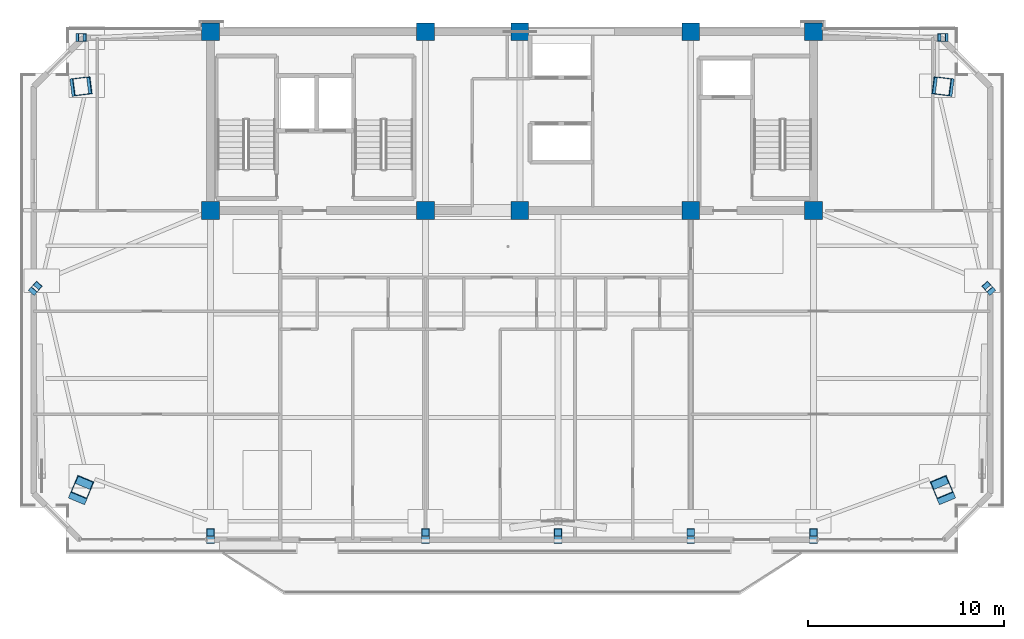
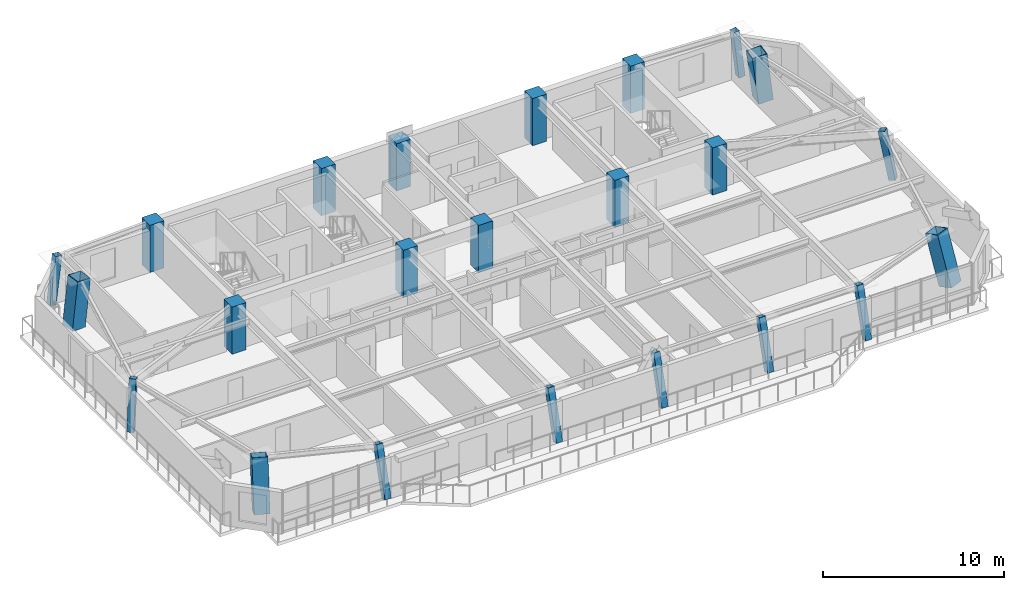
# One storey, part 1 of 14: 23 columns.
"""IFC4 building model written with IfcOpenShell, lengths in metres."""

from ifc_helpers import new_model, si_unit, direction, frame, origin, origin_2d, place, context, subcontext, project, spatial, rectangle, hollow_rectangle, extrude, source, transform, mapped, material, material_profile, profile_set, type_object, element, save


model = new_model("IFC4")

# Units and contexts
model_context = context("Model", 3, precision=1e-05, world=origin(), true_north=direction((0.0, 1.0)))
body_context = subcontext(model_context, "Body", "Model", "MODEL_VIEW")
ifc_project = project(units=[si_unit("LENGTHUNIT", "METRE"), si_unit("AREAUNIT", "SQUARE_METRE"), si_unit("VOLUMEUNIT", "CUBIC_METRE"), si_unit("PLANEANGLEUNIT", "RADIAN"), si_unit("MASSUNIT", "GRAM", prefix="KILO")], contexts=[model_context])

# Site, building, storey
site_placement = place(None, origin())
site = spatial("IfcSite", under=ifc_project, at=site_placement, CompositionType="ELEMENT")
building_placement = place(site_placement, origin())
building = spatial("IfcBuilding", under=site, at=building_placement, Name="Giltprow Tower", CompositionType="ELEMENT")
storey_placement = place(building_placement, frame((0.0, 0.0, 321.0)))
storey = spatial("IfcBuildingStorey", under=building, at=storey_placement, Name="L83", CompositionType="ELEMENT", Elevation=321.0)

# Columns
ifc_material_1 = material(Name="Concrete C45", Category="concrete")
ifc_material_profile_1 = material_profile(ifc_material_1, rectangle(XDim=0.89990234375, YDim=0.89990234375, at=origin_2d()), Name="RC 900x900")
ifc_profile_set_1 = profile_set([ifc_material_profile_1], Name="Concrete C45")
column_type_1 = type_object("IfcColumnType", Name="PIL-RC-900-C45", PredefinedType="PILASTER", material=ifc_profile_set_1)
shared_shape_1 = source(origin(), body_context, "Body", "SweptSolid", [
    extrude(rectangle(XDim=0.89990234375, YDim=0.89990234375, at=origin_2d()), origin(), (0.0, 0.0, 1.0), 3.18505859375),
])
for number, where, z_axis, x_axis, name in (
    (1, (19.85009765625, 37.449951171875, 0.0), (0.0, 0.0, 1.0), (1.0, 0.0, 0.0), "L83 Core Boundary Pilaster 1-1"),
    (2, (19.85009765625, 46.550048828125, 0.0), (0.0, 0.0, 1.0), (1.0, 0.0, 0.0), "L83 Core Boundary Pilaster 1-2"),
    (3, (30.800048828125, 37.449951171875, 0.0), (0.0, 0.0, 1.0), (1.0, 0.0, 0.0), "L83 Core Boundary Pilaster 2-1"),
    (4, (30.800048828125, 46.550048828125, 0.0), (0.0, 0.0, 1.0), (1.0, 0.0, 0.0), "L83 Core Boundary Pilaster 2-2"),
    (5, (35.60009765625, 37.449951171875, 0.0), (0.0, 0.0, 1.0), (1.0, 0.0, 0.0), "L83 Core Boundary Pilaster 3-1"),
    (6, (35.60009765625, 46.550048828125, 0.0), (0.0, 0.0, 1.0), (1.0, 0.0, 0.0), "L83 Core Boundary Pilaster 3-2"),
    (7, (44.300048828125, 37.449951171875, 0.0), (0.0, 0.0, 1.0), (1.0, 0.0, 0.0), "L83 Core Boundary Pilaster 4-1"),
    (8, (44.300048828125, 46.550048828125, 0.0), (0.0, 0.0, 1.0), (1.0, 0.0, 0.0), "L83 Core Boundary Pilaster 4-2"),
    (9, (50.550048828125, 37.449951171875, 0.0), (0.0, 0.0, 1.0), (1.0, 0.0, 0.0), "L83 Core Boundary Pilaster 5-1"),
    (10, (50.550048828125, 46.550048828125, 0.0), (0.0, 0.0, 1.0), (1.0, 0.0, 0.0), "L83 Core Boundary Pilaster 5-2"),
):
    element("IfcColumn", number, at=place(storey_placement, frame(where, z_axis=z_axis, x_axis=x_axis)), inside=storey, type_object=column_type_1, Name=name, PredefinedType="PILASTER", context=body_context, shape_type="MappedRepresentation", body=[
        mapped(shared_shape_1, transform((0.0, 0.0, 0.0), x_axis=(1.0, 0.0, 0.0), y_axis=(0.0, 1.0, 0.0), z_axis=(0.0, 0.0, 1.0), scale=1.0)),
    ])
ifc_material_2 = material(Name="Structural steel Q420GJC", Category="steel")
ifc_material_profile_2 = material_profile(ifc_material_2, hollow_rectangle(XDim=0.89990234375, YDim=0.89990234375, WallThickness=0.0400390625, at=origin_2d()), Name="BOX 900x900x40")
ifc_profile_set_2 = profile_set([ifc_material_profile_2], Name="Structural steel Q420GJC")
column_type_2 = type_object("IfcColumnType", Name="COL-BOX-900x900x40", PredefinedType="COLUMN", material=ifc_profile_set_2)
shared_shape_2 = source(origin(), body_context, "Body", "SweptSolid", [
    extrude(hollow_rectangle(XDim=0.89990234375, YDim=0.89990234375, WallThickness=0.0400390625, at=origin_2d()), origin(), (0.0, 0.0, 1.0), 3.206787109375),
])
for number, where, z_axis, x_axis, name in (
    (11, (13.193115234375, 43.761962890625, 0.0), (0.115039919341, 0.014389506787, 0.993256643095), (-0.12411555831, 0.992267770405, 0.0), "L83 Mega-Column MC_NW"),
    (12, (57.2080078125, 43.761962890625, 0.0), (-0.115039919341, 0.014389506787, 0.993256643095), (-0.12411555831, -0.992267770405, 0.0), "L83 Mega-Column MC_NE"),
):
    element("IfcColumn", number, at=place(storey_placement, frame(where, z_axis=z_axis, x_axis=x_axis)), inside=storey, type_object=column_type_2, Name=name, PredefinedType="COLUMN", context=body_context, shape_type="MappedRepresentation", body=[
        mapped(shared_shape_2, transform((0.0, 0.0, 0.0), x_axis=(1.0, 0.0, 0.0), y_axis=(0.0, 1.0, 0.0), z_axis=(0.0, 0.0, 1.0), scale=1.0)),
    ])
ifc_material_3 = material(Name="Structural steel Q355B", Category="steel")
ifc_material_profile_3 = material_profile(ifc_material_3, hollow_rectangle(XDim=0.39990234375, YDim=0.39990234375, WallThickness=0.02001953125, at=origin_2d()), Name="BOX 400x400x20")
ifc_profile_set_3 = profile_set([ifc_material_profile_3], Name="Structural steel Q355B")
column_type_3 = type_object("IfcColumnType", Name="COL-BOX-400x400x20", PredefinedType="COLUMN", material=ifc_profile_set_3)
shared_shape_3 = source(origin(), body_context, "Body", "SweptSolid", [
    extrude(hollow_rectangle(XDim=0.39990234375, YDim=0.39990234375, WallThickness=0.02001953125, at=origin_2d()), origin(), (0.0, 0.0, 1.0), 3.318603515625),
])
for number, where, z_axis, x_axis, name in (
    (13, (19.85009765625, 20.7041015625, 0.0), (0.0, 0.280807850571, 0.959764008003), (-1.0, 0.0, 0.0), "L83 Perimeter Column S1"),
    (14, (30.800048828125, 20.7041015625, 0.0), (0.0, 0.280807850571, 0.959764008003), (-1.0, 0.0, 0.0), "L83 Perimeter Column S2"),
    (15, (37.550048828125, 20.7041015625, 0.0), (0.0, 0.280807850571, 0.959764008003), (-1.0, 0.0, 0.0), "L83 Perimeter Column S_MID"),
    (16, (44.300048828125, 20.7041015625, 0.0), (0.0, 0.280807850571, 0.959764008003), (-1.0, 0.0, 0.0), "L83 Perimeter Column S3"),
    (17, (50.550048828125, 20.7041015625, 0.0), (0.0, 0.280807850571, 0.959764008003), (-1.0, 0.0, 0.0), "L83 Perimeter Column S4"),
):
    element("IfcColumn", number, at=place(storey_placement, frame(where, z_axis=z_axis, x_axis=x_axis)), inside=storey, type_object=column_type_3, Name=name, PredefinedType="COLUMN", context=body_context, shape_type="MappedRepresentation", body=[
        mapped(shared_shape_3, transform((0.0, 0.0, 0.0), x_axis=(1.0, 0.0, 0.0), y_axis=(0.0, 1.0, 0.0), z_axis=(0.0, 0.0, 1.0), scale=1.0)),
    ])
shared_shape_4 = source(origin(), body_context, "Body", "SweptSolid", [
    extrude(hollow_rectangle(XDim=0.39990234375, YDim=0.39990234375, WallThickness=0.02001953125, at=origin_2d()), origin(), (0.0, 0.0, 1.0), 3.24560546875),
])
for number, where, z_axis, x_axis, name in (
    (18, (10.85498046875, 33.402099609375, 0.0), (0.127877909332, 0.14352414765, 0.981350120674), (-0.746631572004, 0.665237773798, 0.0), "L83 Perimeter Column W_MID"),
    (19, (59.5458984375, 33.402099609375, 0.0), (-0.127803916057, 0.143525527862, 0.981359557906), (-0.746825952664, -0.665019545899, 0.0), "L83 Perimeter Column E_MID"),
):
    element("IfcColumn", number, at=place(storey_placement, frame(where, z_axis=z_axis, x_axis=x_axis)), inside=storey, type_object=column_type_3, Name=name, PredefinedType="COLUMN", context=body_context, shape_type="MappedRepresentation", body=[
        mapped(shared_shape_4, transform((0.0, 0.0, 0.0), x_axis=(1.0, 0.0, 0.0), y_axis=(0.0, 1.0, 0.0), z_axis=(0.0, 0.0, 1.0), scale=1.0)),
    ])
shared_shape_5 = source(origin(), body_context, "Body", "SweptSolid", [
    extrude(hollow_rectangle(XDim=0.39990234375, YDim=0.39990234375, WallThickness=0.02001953125, at=origin_2d()), origin(), (0.0, 0.0, 1.0), 3.206298828125),
])
for number, where, z_axis, x_axis, name in (
    (20, (13.193115234375, 46.25, 0.0), (0.115051831153, 0.0, 0.993359489887), (0.0, 1.0, 0.0), "L83 Perimeter Column N_W"),
    (21, (57.2080078125, 46.25, 0.0), (-0.115051831153, 0.0, 0.993359489887), (0.0, -1.0, 0.0), "L83 Perimeter Column N_E"),
):
    element("IfcColumn", number, at=place(storey_placement, frame(where, z_axis=z_axis, x_axis=x_axis)), inside=storey, type_object=column_type_3, Name=name, PredefinedType="COLUMN", context=body_context, shape_type="MappedRepresentation", body=[
        mapped(shared_shape_5, transform((0.0, 0.0, 0.0), x_axis=(1.0, 0.0, 0.0), y_axis=(0.0, 1.0, 0.0), z_axis=(0.0, 0.0, 1.0), scale=1.0)),
    ])
shared_shape_6 = source(origin(), body_context, "Body", "SweptSolid", [
    extrude(hollow_rectangle(XDim=0.89990234375, YDim=0.89990234375, WallThickness=0.0400390625, at=origin_2d()), origin(), (0.0, 0.0, 1.0), 3.326416015625),
])
for number, where, z_axis, x_axis, name in (
    (22, (13.193115234375, 23.0419921875, 0.0), (0.110896020197, 0.266341268892, 0.957478146586), (-0.92317473482, 0.384380552305, 0.0), "L83 Mega-Column MC_SW"),
    (23, (57.2080078125, 23.0419921875, 0.0), (-0.110896020197, 0.266341268892, 0.957478146586), (-0.92317473482, -0.384380552305, 0.0), "L83 Mega-Column MC_SE"),
):
    element("IfcColumn", number, at=place(storey_placement, frame(where, z_axis=z_axis, x_axis=x_axis)), inside=storey, type_object=column_type_2, Name=name, PredefinedType="COLUMN", context=body_context, shape_type="MappedRepresentation", body=[
        mapped(shared_shape_6, transform((0.0, 0.0, 0.0), x_axis=(1.0, 0.0, 0.0), y_axis=(0.0, 1.0, 0.0), z_axis=(0.0, 0.0, 1.0), scale=1.0)),
    ])

save(model, "model.ifc")
